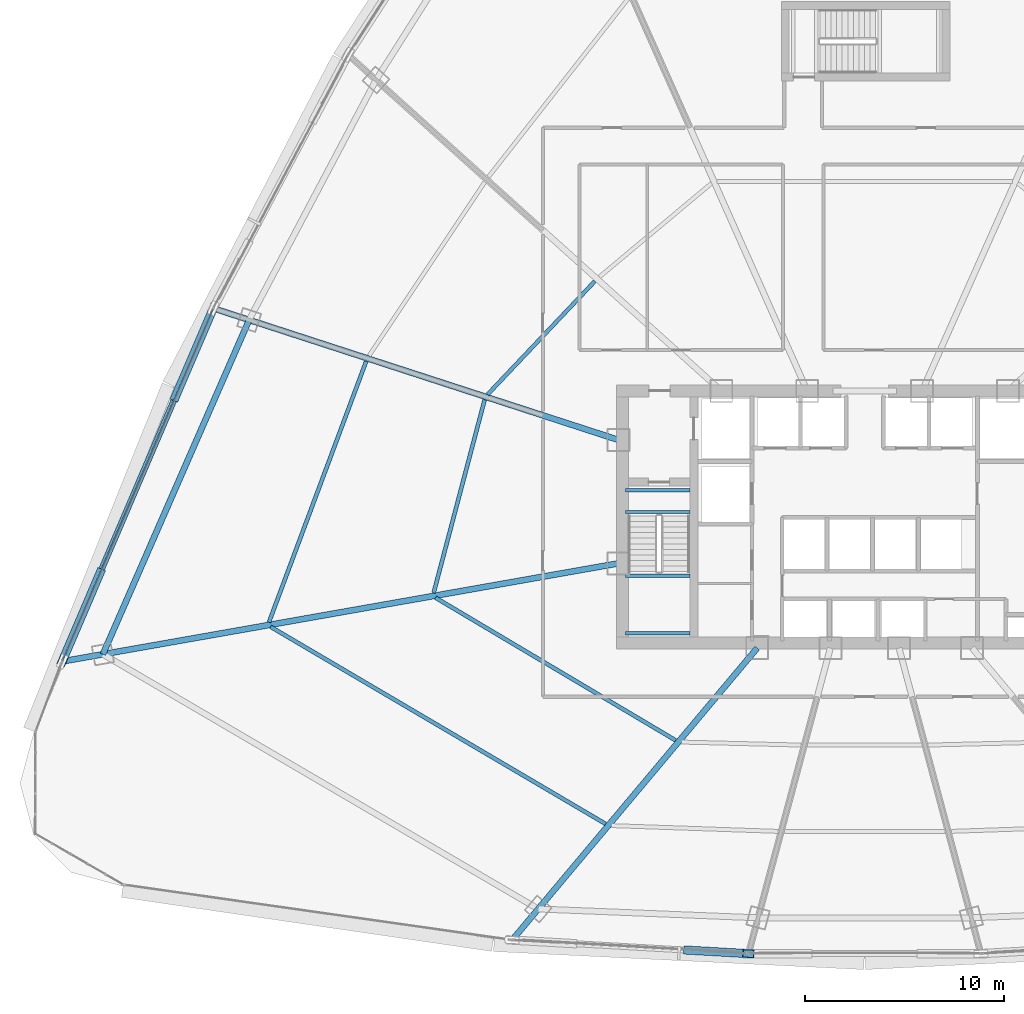
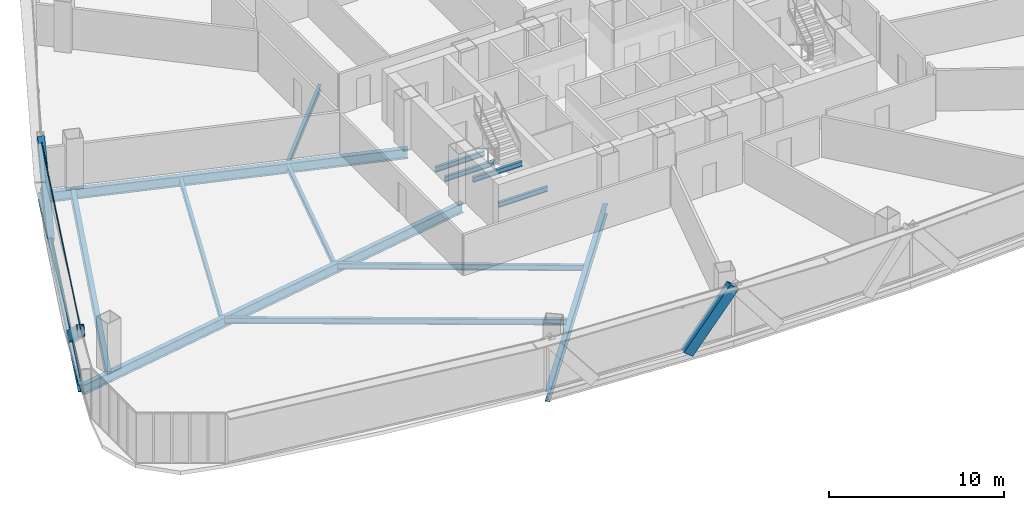
# One storey, part 7 of 39: 14 beams, 5 members, 1 element without a shape of its own.
"""IFC4 building model written with IfcOpenShell, lengths in metres."""

from ifc_helpers import new_model, si_unit, direction, frame, origin, origin_2d, place, context, subcontext, project, spatial, hollow_rectangle, i_section, extrude, source, transform, mapped, material, layer, layer_set, material_profile, profile_set, type_object, element, aggregate, save


model = new_model("IFC4")

# Units and contexts
model_context = context("Model", 3, precision=1e-05, world=origin(), true_north=direction((0.0, 1.0)))
body_context = subcontext(model_context, "Body", "Model", "MODEL_VIEW")
ifc_project = project(units=[si_unit("LENGTHUNIT", "METRE"), si_unit("AREAUNIT", "SQUARE_METRE"), si_unit("VOLUMEUNIT", "CUBIC_METRE"), si_unit("PLANEANGLEUNIT", "RADIAN"), si_unit("MASSUNIT", "GRAM", prefix="KILO"), si_unit("THERMODYNAMICTEMPERATUREUNIT", "KELVIN"), si_unit("POWERUNIT", "WATT")], contexts=[model_context])

# Site, building, storey
site_placement = place(None, origin())
site = spatial("IfcSite", under=ifc_project, at=site_placement, CompositionType="ELEMENT")
building_placement = place(site_placement, origin())
building = spatial("IfcBuilding", under=site, at=building_placement, Name="Yunzhuo Pagoda Commons", CompositionType="ELEMENT")
storey_placement = place(building_placement, frame((0.0, 0.0, 92.580078125)))
storey = spatial("IfcBuildingStorey", under=building, at=storey_placement, Name="L23", CompositionType="ELEMENT", Elevation=92.580078125)

# Beams
ifc_material_1 = material(Name="Structural steel Q355B", Category="steel")
ifc_material_profile_1 = material_profile(ifc_material_1, i_section(OverallWidth=0.175048828125, OverallDepth=0.35009765625, WebThickness=0.007080078125, FlangeThickness=0.010986328125, at=origin_2d()), Name="Structural steel Q355B")
ifc_profile_set_1 = profile_set([ifc_material_profile_1], Name="Structural steel Q355B")
beam_type_1 = type_object("IfcBeamType", Name="B-JS2 Joist HN 350x175x7x11", PredefinedType="JOIST", material=ifc_profile_set_1)
shared_shape_1 = source(origin(), body_context, "Body", "SweptSolid", [
    extrude(i_section(OverallWidth=0.175048828125, OverallDepth=0.35009765625, WebThickness=0.007080078125, FlangeThickness=0.010986328125, at=origin_2d()), origin(), (0.0, 0.0, 1.0), 3.25),
])
for number, where, z_axis, x_axis, name in (
    (1, (35.949951171875, 28.0, 1.525146484375), (1.0, 0.0, 0.0), (0.0, 1.0, 0.0), "L23 ST1 landing support beam 29A"),
    (2, (35.949951171875, 30.89990234375, 1.525146484375), (1.0, 0.0, 0.0), (0.0, 1.0, 0.0), "L23 ST1 landing support beam 29B"),
    (3, (35.949951171875, 34.10009765625, -0.375), (1.0, 0.0, 0.0), (0.0, 1.0, 0.0), "L23 ST1 landing support beam 127A"),
    (4, (35.949951171875, 35.199951171875, -0.375), (1.0, 0.0, 0.0), (0.0, 1.0, 0.0), "L23 ST1 landing support beam 127B"),
):
    element("IfcBeam", number, at=place(storey_placement, frame(where, z_axis=z_axis, x_axis=x_axis)), inside=storey, type_object=beam_type_1, Name=name, PredefinedType="JOIST", context=body_context, shape_type="MappedRepresentation", body=[
        mapped(shared_shape_1, transform((0.0, 0.0, 0.0), scale=1.0)),
    ])
ifc_material_profile_2 = material_profile(ifc_material_1, i_section(OverallWidth=0.300048828125, OverallDepth=0.699951171875, WebThickness=0.012939453125, FlangeThickness=0.02392578125, at=origin_2d()), Name="Structural steel Q355B")
ifc_profile_set_2 = profile_set([ifc_material_profile_2], Name="Structural steel Q355B")
beam_type_2 = type_object("IfcBeamType", Name="B-RG1 Beam HN 700x300x13x24", PredefinedType="BEAM", material=ifc_profile_set_2)
shared_shape_2 = source(origin(), body_context, "Body", "SweptSolid", [
    extrude(i_section(OverallWidth=0.300048828125, OverallDepth=0.699951171875, WebThickness=0.012939453125, FlangeThickness=0.02392578125, at=origin_2d()), origin(), (0.0, 0.0, 1.0), 18.37158203125),
])
beam_1_placement = place(storey_placement, frame((17.00927734375, 43.76953125, -0.610107421875), z_axis=(-0.400729599795, -0.916196369698, 0.0), x_axis=(0.916196369698, -0.400729599795, 0.0)))
element("IfcBeam", 5, at=beam_1_placement, inside=storey, type_object=beam_type_2, Name="L23 column-ring beam 11", PredefinedType="BEAM", context=body_context, shape_type="MappedRepresentation", body=[
    mapped(shared_shape_2, transform((0.0, 0.0, 0.0), scale=1.0)),
])
ifc_material_profile_3 = material_profile(ifc_material_1, i_section(OverallWidth=0.199951171875, OverallDepth=0.39990234375, WebThickness=0.008056640625, FlangeThickness=0.012939453125, at=origin_2d()), Name="Structural steel Q355B")
ifc_profile_set_3 = profile_set([ifc_material_profile_3], Name="Structural steel Q355B")
beam_type_3 = type_object("IfcBeamType", Name="B-JS1 Joist HN 400x200x8x13", PredefinedType="JOIST", material=ifc_profile_set_3)
shared_shape_3 = source(origin(), body_context, "Body", "SweptSolid", [
    extrude(i_section(OverallWidth=0.199951171875, OverallDepth=0.39990234375, WebThickness=0.008056640625, FlangeThickness=0.012939453125, at=origin_2d()), origin(), (0.0, 0.0, 1.0), 14.061767578125),
])
beam_2_placement = place(storey_placement, frame((26.393798828125, 29.784912109375, -0.4599609375), z_axis=(0.859683443923, -0.510827149088, 0.0), x_axis=(0.510827149088, 0.859683443923, 0.0)))
element("IfcBeam", 6, at=beam_2_placement, inside=storey, type_object=beam_type_3, Name="L23 composite ring joist 1.12", PredefinedType="JOIST", context=body_context, shape_type="MappedRepresentation", body=[
    mapped(shared_shape_3, transform((0.0, 0.0, 0.0), scale=1.0)),
])
shared_shape_4 = source(origin(), body_context, "Body", "SweptSolid", [
    extrude(i_section(OverallWidth=0.199951171875, OverallDepth=0.39990234375, WebThickness=0.008056640625, FlangeThickness=0.012939453125, at=origin_2d()), origin(), (0.0, 0.0, 1.0), 19.568603515625),
])
beam_3_placement = place(storey_placement, frame((18.089111328125, 28.321044921875, -0.4599609375), z_axis=(0.861862685393, -0.50714170754, 0.0), x_axis=(0.50714170754, 0.861862685393, 0.0)))
element("IfcBeam", 7, at=beam_3_placement, inside=storey, type_object=beam_type_3, Name="L23 composite ring joist 2.12", PredefinedType="JOIST", context=body_context, shape_type="MappedRepresentation", body=[
    mapped(shared_shape_4, transform((0.0, 0.0, 0.0), scale=1.0)),
])
shared_shape_5 = source(origin(), body_context, "Body", "SweptSolid", [
    extrude(i_section(OverallWidth=0.199951171875, OverallDepth=0.39990234375, WebThickness=0.008056640625, FlangeThickness=0.012939453125, at=origin_2d()), origin(), (0.0, 0.0, 1.0), 10.0634765625),
])
beam_4_placement = place(storey_placement, frame((28.86669921875, 39.749755859375, -0.4599609375), z_axis=(-0.255289713136, -0.966864603948, 0.0), x_axis=(0.966864603948, -0.255289713136, 0.0)))
element("IfcBeam", 8, at=beam_4_placement, inside=storey, type_object=beam_type_3, Name="L23 composite ring joist 1.11", PredefinedType="JOIST", context=body_context, shape_type="MappedRepresentation", body=[
    mapped(shared_shape_5, transform((0.0, 0.0, 0.0), scale=1.0)),
])
shared_shape_6 = source(origin(), body_context, "Body", "SweptSolid", [
    extrude(i_section(OverallWidth=0.199951171875, OverallDepth=0.39990234375, WebThickness=0.008056640625, FlangeThickness=0.012939453125, at=origin_2d()), origin(), (0.0, 0.0, 1.0), 7.85009765625),
])
beam_5_placement = place(storey_placement, frame((34.41357421875, 45.719482421875, -0.4599609375), z_axis=(-0.687513423145, -0.726171669095, 0.0), x_axis=(0.726171669095, -0.687513423145, 0.0)))
element("IfcBeam", 9, at=beam_5_placement, inside=storey, type_object=beam_type_3, Name="L23 composite ring joist 1.10", PredefinedType="JOIST", context=body_context, shape_type="MappedRepresentation", body=[
    mapped(shared_shape_6, transform((0.0, 0.0, 0.0), scale=1.0)),
])
shared_shape_7 = source(origin(), body_context, "Body", "SweptSolid", [
    extrude(i_section(OverallWidth=0.199951171875, OverallDepth=0.39990234375, WebThickness=0.008056640625, FlangeThickness=0.012939453125, at=origin_2d()), origin(), (0.0, 0.0, 1.0), 14.018798828125),
])
beam_6_placement = place(storey_placement, frame((22.902587890625, 41.6875, -0.4599609375), z_axis=(-0.349137809065, -0.937071390173, 0.0), x_axis=(0.937071390173, -0.349137809065, 0.0)))
element("IfcBeam", 10, at=beam_6_placement, inside=storey, type_object=beam_type_3, Name="L23 composite ring joist 2.11", PredefinedType="JOIST", context=body_context, shape_type="MappedRepresentation", body=[
    mapped(shared_shape_7, transform((0.0, 0.0, 0.0), scale=1.0)),
])
shared_shape_8 = source(origin(), body_context, "Body", "SweptSolid", [
    extrude(i_section(OverallWidth=0.300048828125, OverallDepth=0.699951171875, WebThickness=0.012939453125, FlangeThickness=0.02392578125, at=origin_2d()), origin(), (0.0, 0.0, 1.0), 19.038330078125),
])
beam_7_placement = place(storey_placement, frame((30.35009765625, 12.666015625, -0.610107421875), z_axis=(0.642799231831, 0.766034690832, 0.0), x_axis=(-0.766034690832, 0.642799231831, 0.0)))
element("IfcBeam", 11, at=beam_7_placement, inside=storey, type_object=beam_type_2, Name="L23 radial floor girder F1C1", PredefinedType="BEAM", context=body_context, shape_type="MappedRepresentation", body=[
    mapped(shared_shape_8, transform((0.0, 0.0, 0.0), scale=1.0)),
])
shared_shape_9 = source(origin(), body_context, "Body", "SweptSolid", [
    extrude(i_section(OverallWidth=0.300048828125, OverallDepth=0.699951171875, WebThickness=0.012939453125, FlangeThickness=0.02392578125, at=origin_2d()), origin(), (0.0, 0.0, 1.0), 28.281005859375),
])
beam_8_placement = place(storey_placement, frame((7.748779296875, 26.6025390625, -0.610107421875), z_axis=(0.984808056581, 0.173646456036, 0.0), x_axis=(-0.173646456036, 0.984808056581, 0.0)))
element("IfcBeam", 12, at=beam_8_placement, inside=storey, type_object=beam_type_2, Name="L23 radial floor girder F3C4", PredefinedType="BEAM", context=body_context, shape_type="MappedRepresentation", body=[
    mapped(shared_shape_9, transform((0.0, 0.0, 0.0), scale=1.0)),
])
shared_shape_10 = source(origin(), body_context, "Body", "SweptSolid", [
    extrude(i_section(OverallWidth=0.300048828125, OverallDepth=0.699951171875, WebThickness=0.012939453125, FlangeThickness=0.02392578125, at=origin_2d()), origin(), (0.0, 0.0, 1.0), 21.291015625),
])
beam_9_placement = place(storey_placement, frame((15.35107421875, 44.308349609375, -0.610107421875), z_axis=(0.951055975763, -0.309018657956, 0.0), x_axis=(0.309018657956, 0.951055975763, 0.0)))
element("IfcBeam", 13, at=beam_9_placement, inside=storey, type_object=beam_type_2, Name="L23 radial floor girder F3C3", PredefinedType="BEAM", context=body_context, shape_type="MappedRepresentation", body=[
    mapped(shared_shape_10, transform((0.0, 0.0, 0.0), scale=1.0)),
])
ifc_material_profile_4 = material_profile(ifc_material_1, i_section(OverallWidth=0.300048828125, OverallDepth=0.488037109375, WebThickness=0.010986328125, FlangeThickness=0.01806640625, at=origin_2d()), Name="Structural steel Q355B")
ifc_profile_set_4 = profile_set([ifc_material_profile_4], Name="Structural steel Q355B")
beam_type_4 = type_object("IfcBeamType", Name="B-SP1 Beam HM 488x300x11x18", PredefinedType="BEAM", material=ifc_profile_set_4)
shared_shape_11 = source(origin(), body_context, "Body", "SweptSolid", [
    extrude(i_section(OverallWidth=0.300048828125, OverallDepth=0.488037109375, WebThickness=0.010986328125, FlangeThickness=0.01806640625, at=origin_2d()), origin(), (0.0, 0.0, 1.0), 19.339599609375),
])
beam_10_placement = place(storey_placement, frame((15.20361328125, 44.356201171875, -0.504150390625), z_axis=(-0.393360074903, -0.919384495993, 0.0), x_axis=(0.919384495993, -0.393360074903, 0.0)))
element("IfcBeam", 14, at=beam_10_placement, inside=storey, type_object=beam_type_4, Name="L23 facade edge spandrel beam F3.3", PredefinedType="BEAM", context=body_context, shape_type="MappedRepresentation", body=[
    mapped(shared_shape_11, transform((0.0, 0.0, 0.0), scale=1.0)),
])

# Members
ifc_material_2 = material(Name="Structural steel Q420B", Category="steel")
ifc_material_profile_5 = material_profile(ifc_material_2, hollow_rectangle(XDim=0.419921875, YDim=0.719970703125, WallThickness=0.028076171875, at=origin_2d()), Name="Structural steel Q420B")
ifc_profile_set_5 = profile_set([ifc_material_profile_5], Name="Structural steel Q420B")
member_type_1 = type_object("IfcMemberType", Name="M-DL1 Brace BOX 720x420x28", PredefinedType="BRACE", material=ifc_profile_set_5)
shared_shape_12 = source(origin(), body_context, "Body", "SweptSolid", [
    extrude(hollow_rectangle(XDim=0.419921875, YDim=0.719970703125, WallThickness=0.028076171875, at=origin_2d()), origin(), (0.0, 0.0, 1.0), 4.82861328125),
])
member_1_placement = place(storey_placement, frame((39.1748046875, 12.034912109375, -0.260009765625), z_axis=(0.615976413568, -0.035341665689, 0.786971425526), x_axis=(0.057280827034, 0.998358105518, 0.0)))
element("IfcMember", 15, at=member_1_placement, inside=storey, type_object=member_type_1, Name="L23 facade diamond brace F1.1R", PredefinedType="BRACE", context=body_context, shape_type="MappedRepresentation", body=[
    mapped(shared_shape_12, transform((0.0, 0.0, 0.0), scale=1.0)),
])
shared_shape_13 = source(origin(), body_context, "Body", "SweptSolid", [
    extrude(hollow_rectangle(XDim=0.419921875, YDim=0.719970703125, WallThickness=0.028076171875, at=origin_2d()), origin(), (0.0, 0.0, 1.0), 6.1494140625),
])
for number, where, z_axis, x_axis, name in (
    (16, (13.3017578125, 39.9111328125, -0.260009765625), (0.309271130449, 0.722836902707, 0.617946745243), (-0.919382542639, 0.393364640367, 0.0), "L23 facade diamond brace F3.3L"),
    (17, (9.498046875, 31.020751953125, -0.260009765625), (-0.309271130449, -0.722836902707, 0.617946745243), (0.919382542639, -0.393364640367, 0.0), "L23 facade diamond brace F3.3R"),
):
    element("IfcMember", number, at=place(storey_placement, frame(where, z_axis=z_axis, x_axis=x_axis)), inside=storey, type_object=member_type_1, Name=name, PredefinedType="BRACE", context=body_context, shape_type="MappedRepresentation", body=[
        mapped(shared_shape_13, transform((0.0, 0.0, 0.0), scale=1.0)),
    ])

# Curtain wall, members
ifc_material_3 = material(Name="Anodized aluminium 6063-T6", Category="aluminium")
ifc_layer = layer(ifc_material_3, 0.1650390625)
ifc_layer_set = layer_set([ifc_layer], Name="Anodized aluminium 6063-T6")
curtain_wall_type = type_object("IfcCurtainWallType", Name="CW-LOW Low-Zone Ribbon Curtain Wall", PredefinedType="NOTDEFINED", material=ifc_layer_set)
curtain_wall_placement = place(storey_placement, origin())
curtain_wall = element("IfcCurtainWall", 18, at=curtain_wall_placement, inside=storey, type_object=curtain_wall_type, Name="L23 curtain wall CW-L23-F3B4", PredefinedType="NOTDEFINED")
ifc_material_profile_6 = material_profile(ifc_material_3, hollow_rectangle(XDim=0.06005859375, YDim=0.139892578125, WallThickness=0.00341796875, at=origin_2d()), Name="Anodized aluminium 6063-T6")
ifc_profile_set_6 = profile_set([ifc_material_profile_6], Name="Anodized aluminium 6063-T6")
member_type_2 = type_object("IfcMemberType", Name="CW-LOW-T Transom RHS 140x60x3.5", PredefinedType="USERDEFINED", material=ifc_profile_set_6)
shared_shape_14 = source(origin(), body_context, "Body", "SweptSolid", [
    extrude(hollow_rectangle(XDim=0.06005859375, YDim=0.139892578125, WallThickness=0.00341796875, at=origin_2d()), origin(), (0.0, 0.0, 1.0), 19.209716796875),
])
member_2_placement = place(storey_placement, frame((15.17822265625, 44.29638671875, 0.030029296875), z_axis=(-0.393377770888, -0.919376924537, 0.0), x_axis=(0.919376924537, -0.393377770888, 0.0)))
member_2 = element("IfcMember", 19, at=member_2_placement, type_object=member_type_2, Name="CW transom 1.1", ObjectType="TRANSOM", PredefinedType="USERDEFINED", context=body_context, shape_type="MappedRepresentation", body=[
    mapped(shared_shape_14, transform((0.0, 0.0, 0.0), scale=1.0)),
])
member_3_placement = place(storey_placement, frame((15.17822265625, 44.29638671875, 3.510009765625), z_axis=(-0.393377770888, -0.919376924537, 0.0), x_axis=(0.919376924537, -0.393377770888, 0.0)))
member_3 = element("IfcMember", 20, at=member_3_placement, type_object=member_type_2, Name="CW transom 1.2", ObjectType="TRANSOM", PredefinedType="USERDEFINED", context=body_context, shape_type="MappedRepresentation", body=[
    mapped(shared_shape_14, transform((0.0, 0.0, 0.0), scale=1.0)),
])
aggregate(curtain_wall, [member_2, member_3])

save(model, "model.ifc")
